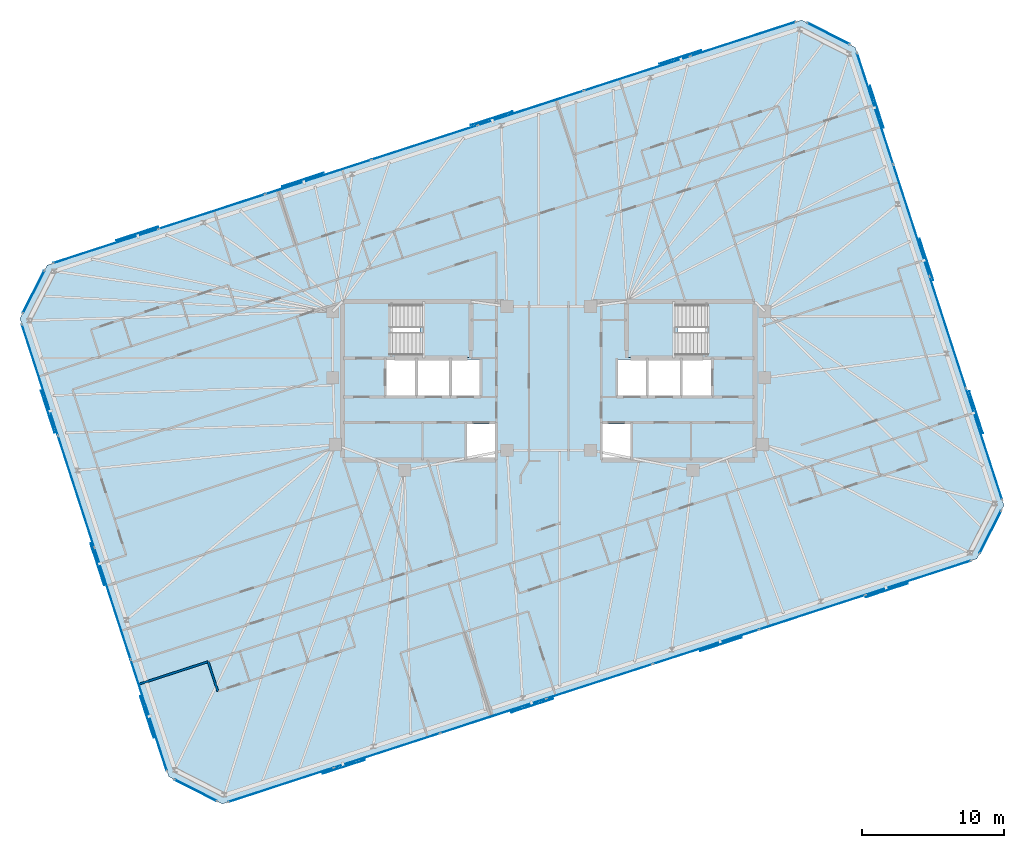
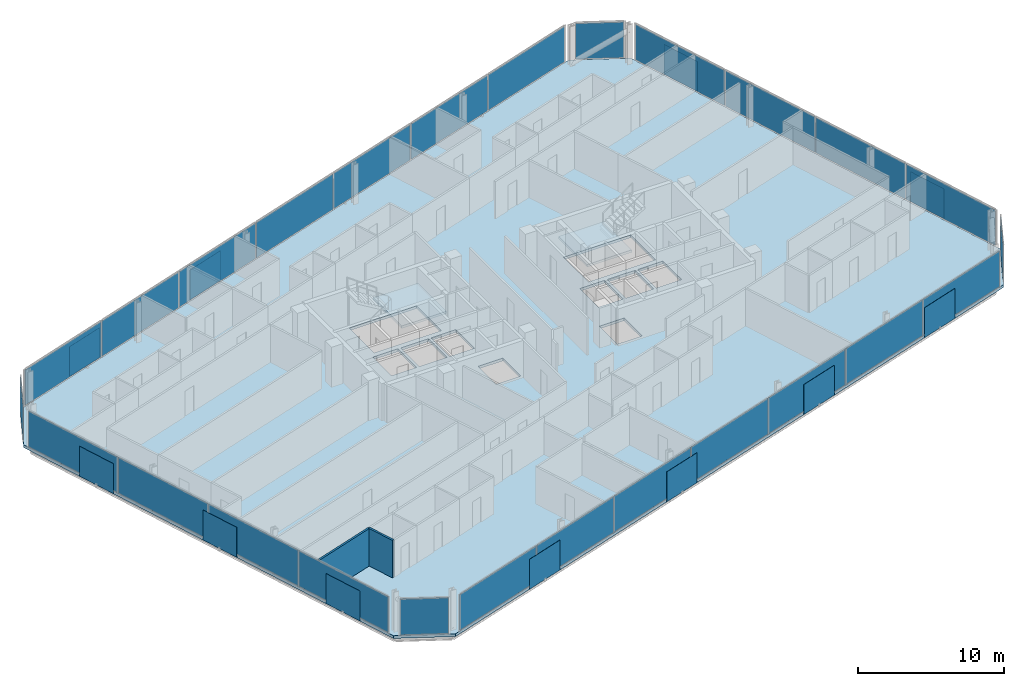
# One storey, part 12 of 20: 40 plates, 3 slabs, 2 walls, 10 elements without a shape of their own.
"""IFC4 building model written with IfcOpenShell, lengths in metres."""

from ifc_helpers import new_model, si_unit, direction, frame, frame_2d, origin, origin_2d, place, context, subcontext, project, spatial, polyline, rectangle, outline, extrude, material, layer, layer_set, type_object, element, aggregate, save


model = new_model("IFC4")

# Units and contexts
model_context = context("Model", 3, precision=1e-05, world=origin(), true_north=direction((0.0, 1.0)))
body_context = subcontext(model_context, "Body", "Model", "MODEL_VIEW")
ifc_project = project(units=[si_unit("LENGTHUNIT", "METRE"), si_unit("AREAUNIT", "SQUARE_METRE"), si_unit("VOLUMEUNIT", "CUBIC_METRE"), si_unit("PLANEANGLEUNIT", "RADIAN"), si_unit("MASSUNIT", "GRAM", prefix="KILO")], contexts=[model_context])

# Site, building, storey
site_placement = place(None, origin())
site = spatial("IfcSite", under=ifc_project, at=site_placement, CompositionType="ELEMENT")
building_placement = place(site_placement, origin())
building = spatial("IfcBuilding", under=site, at=building_placement, Name="Menara Jurai Vektor", CompositionType="ELEMENT")
storey_placement = place(building_placement, frame((0.0, 0.0, 217.60009765625)))
storey = spatial("IfcBuildingStorey", under=building, at=storey_placement, Name="L57", CompositionType="ELEMENT", Elevation=217.60009765625)

# Curtain wall, plates
ifc_material_1 = material(Name="Anodised Pale Aluminium & Low-E Double Glazing", Category="aluminium")
curtain_wall_type = type_object("IfcCurtainWallType", Name="CW-BLK4", PredefinedType="NOTDEFINED", material=ifc_material_1)
curtain_wall_1_placement = place(storey_placement, origin())
curtain_wall_1 = element("IfcCurtainWall", 1, at=curtain_wall_1_placement, inside=storey, type_object=curtain_wall_type, Name="Unitised Curtain Wall L57 F01", PredefinedType="NOTDEFINED")
ifc_material_2 = material(Name="Low-E Solar-Control Double Glazed Unit", Category="glass")
ifc_layer_1 = layer(ifc_material_2, 0.030029296875)
ifc_layer_set_1 = layer_set([ifc_layer_1], Name="Low-E Solar-Control Double Glazed Unit")
plate_type_1 = type_object("IfcPlateType", Name="CW-BLK4-PNL", PredefinedType="CURTAIN_PANEL", material=ifc_layer_set_1)
plate_1_placement = place(storey_placement, frame((-18.916259765625, -28.53076171875, 0.080078125), z_axis=(0.0, 0.0, 1.0), x_axis=(0.951056402641, 0.309017344167, 0.0)))
plate_1 = element("IfcPlate", 2, at=plate_1_placement, type_object=plate_type_1, Name="CW-04 panel 1.1", PredefinedType="CURTAIN_PANEL", context=body_context, shape_type="SweptSolid", body=[
    extrude(rectangle(XDim=7.771484375, YDim=0.030029296875, at=origin_2d()), origin(), (0.0, 0.0, 1.0), 2.965087890625),
])
plate_2_placement = place(storey_placement, frame((-11.429931640625, -26.098388671875, 0.080078125), z_axis=(0.0, 0.0, 1.0), x_axis=(0.951056402641, 0.309017344167, 0.0)))
plate_2 = element("IfcPlate", 3, at=plate_2_placement, type_object=plate_type_1, Name="CW-04 panel 2.1", PredefinedType="CURTAIN_PANEL", context=body_context, shape_type="SweptSolid", body=[
    extrude(rectangle(XDim=7.8115234375, YDim=0.030029296875, at=origin_2d()), origin(), (0.0, 0.0, 1.0), 2.965087890625),
])
plate_3_placement = place(storey_placement, frame((-3.9248046875, -23.65966796875, 0.080078125), z_axis=(0.0, 0.0, 1.0), x_axis=(0.951056402641, 0.309017344167, 0.0)))
plate_3 = element("IfcPlate", 4, at=plate_3_placement, type_object=plate_type_1, Name="CW-04 panel 3.1", PredefinedType="CURTAIN_PANEL", context=body_context, shape_type="SweptSolid", body=[
    extrude(rectangle(XDim=7.8115234375, YDim=0.030029296875, at=origin_2d()), origin(), (0.0, 0.0, 1.0), 2.965087890625),
])
plate_4_placement = place(storey_placement, frame((3.580322265625, -21.22119140625, 0.080078125), z_axis=(0.0, 0.0, 1.0), x_axis=(0.951056402641, 0.309017344167, 0.0)))
plate_4 = element("IfcPlate", 5, at=plate_4_placement, type_object=plate_type_1, Name="CW-04 panel 4.1", PredefinedType="CURTAIN_PANEL", context=body_context, shape_type="SweptSolid", body=[
    extrude(rectangle(XDim=7.8115234375, YDim=0.030029296875, at=origin_2d()), origin(), (0.0, 0.0, 1.0), 2.965087890625),
])
plate_5_placement = place(storey_placement, frame((11.08544921875, -18.782470703125, 0.080078125), z_axis=(0.0, 0.0, 1.0), x_axis=(0.951056402641, 0.309017344167, 0.0)))
plate_5 = element("IfcPlate", 6, at=plate_5_placement, type_object=plate_type_1, Name="CW-04 panel 5.1", PredefinedType="CURTAIN_PANEL", context=body_context, shape_type="SweptSolid", body=[
    extrude(rectangle(XDim=7.8115234375, YDim=0.030029296875, at=origin_2d()), origin(), (0.0, 0.0, 1.0), 2.965087890625),
])
plate_6_placement = place(storey_placement, frame((18.5908203125, -16.343994140625, 0.080078125), z_axis=(0.0, 0.0, 1.0), x_axis=(0.951056402641, 0.309017344167, 0.0)))
plate_6 = element("IfcPlate", 7, at=plate_6_placement, type_object=plate_type_1, Name="CW-04 panel 6.1", PredefinedType="CURTAIN_PANEL", context=body_context, shape_type="SweptSolid", body=[
    extrude(rectangle(XDim=7.8115234375, YDim=0.030029296875, at=origin_2d()), origin(), (0.0, 0.0, 1.0), 2.965087890625),
])
plate_7_placement = place(storey_placement, frame((26.076904296875, -13.91162109375, 0.080078125), z_axis=(0.0, 0.0, 1.0), x_axis=(0.951056402641, 0.309017344167, 0.0)))
plate_7 = element("IfcPlate", 8, at=plate_7_placement, type_object=plate_type_1, Name="CW-04 panel 7.1", PredefinedType="CURTAIN_PANEL", context=body_context, shape_type="SweptSolid", body=[
    extrude(rectangle(XDim=7.771484375, YDim=0.030029296875, at=origin_2d()), origin(), (0.0, 0.0, 1.0), 2.965087890625),
])
aggregate(curtain_wall_1, [plate_1, plate_2, plate_3, plate_4, plate_5, plate_6, plate_7])

curtain_wall_2_placement = place(storey_placement, origin())
curtain_wall_2 = element("IfcCurtainWall", 9, at=curtain_wall_2_placement, inside=storey, type_object=curtain_wall_type, Name="Unitised Curtain Wall L57 F03", PredefinedType="NOTDEFINED")
plate_8_placement = place(storey_placement, frame((30.728515625, -4.456298828125, 0.080078125), z_axis=(0.0, 0.0, 1.0), x_axis=(-0.309016481464, 0.95105668295, 0.0)))
plate_8 = element("IfcPlate", 10, at=plate_8_placement, type_object=plate_type_1, Name="CW-04 panel 1.1", PredefinedType="CURTAIN_PANEL", context=body_context, shape_type="SweptSolid", body=[
    extrude(rectangle(XDim=8.18994140625, YDim=0.030029296875, at=origin_2d()), origin(), (0.0, 0.0, 1.0), 2.965087890625),
])
plate_9_placement = place(storey_placement, frame((28.166748046875, 3.427978515625, 0.080078125), z_axis=(0.0, 0.0, 1.0), x_axis=(-0.309016481464, 0.95105668295, 0.0)))
plate_9 = element("IfcPlate", 11, at=plate_9_placement, type_object=plate_type_1, Name="CW-04 panel 2.1", PredefinedType="CURTAIN_PANEL", context=body_context, shape_type="SweptSolid", body=[
    extrude(rectangle(XDim=8.22998046875, YDim=0.030029296875, at=origin_2d()), origin(), (0.0, 0.0, 1.0), 2.965087890625),
])
plate_10_placement = place(storey_placement, frame((25.598876953125, 11.331298828125, 0.080078125), z_axis=(0.0, 0.0, 1.0), x_axis=(-0.309016481464, 0.95105668295, 0.0)))
plate_10 = element("IfcPlate", 12, at=plate_10_placement, type_object=plate_type_1, Name="CW-04 panel 3.1", PredefinedType="CURTAIN_PANEL", context=body_context, shape_type="SweptSolid", body=[
    extrude(rectangle(XDim=8.22998046875, YDim=0.030029296875, at=origin_2d()), origin(), (0.0, 0.0, 1.0), 2.965087890625),
])
plate_11_placement = place(storey_placement, frame((23.037109375, 19.21533203125, 0.080078125), z_axis=(0.0, 0.0, 1.0), x_axis=(-0.309016481464, 0.95105668295, 0.0)))
plate_11 = element("IfcPlate", 13, at=plate_11_placement, type_object=plate_type_1, Name="CW-04 panel 4.1", PredefinedType="CURTAIN_PANEL", context=body_context, shape_type="SweptSolid", body=[
    extrude(rectangle(XDim=8.18994140625, YDim=0.030029296875, at=origin_2d()), origin(), (0.0, 0.0, 1.0), 2.965087890625),
])
aggregate(curtain_wall_2, [plate_8, plate_9, plate_10, plate_11])

curtain_wall_3_placement = place(storey_placement, origin())
curtain_wall_3 = element("IfcCurtainWall", 14, at=curtain_wall_3_placement, inside=storey, type_object=curtain_wall_type, Name="Unitised Curtain Wall L57 F05", PredefinedType="NOTDEFINED")
plate_12_placement = place(storey_placement, frame((13.716064453125, 24.130615234375, 0.080078125), z_axis=(0.0, 0.0, 1.0), x_axis=(-0.951056402641, -0.309017344167, 0.0)))
plate_12 = element("IfcPlate", 15, at=plate_12_placement, type_object=plate_type_1, Name="CW-04 panel 1.1", PredefinedType="CURTAIN_PANEL", context=body_context, shape_type="SweptSolid", body=[
    extrude(rectangle(XDim=7.771484375, YDim=0.030029296875, at=origin_2d()), origin(), (0.0, 0.0, 1.0), 2.965087890625),
])
plate_13_placement = place(storey_placement, frame((6.22998046875, 21.6982421875, 0.080078125), z_axis=(0.0, 0.0, 1.0), x_axis=(-0.951056402641, -0.309017344167, 0.0)))
plate_13 = element("IfcPlate", 16, at=plate_13_placement, type_object=plate_type_1, Name="CW-04 panel 2.1", PredefinedType="CURTAIN_PANEL", context=body_context, shape_type="SweptSolid", body=[
    extrude(rectangle(XDim=7.8115234375, YDim=0.030029296875, at=origin_2d()), origin(), (0.0, 0.0, 1.0), 2.965087890625),
])
plate_14_placement = place(storey_placement, frame((-1.275146484375, 19.259765625, 0.080078125), z_axis=(0.0, 0.0, 1.0), x_axis=(-0.951056402641, -0.309017344167, 0.0)))
plate_14 = element("IfcPlate", 17, at=plate_14_placement, type_object=plate_type_1, Name="CW-04 panel 3.1", PredefinedType="CURTAIN_PANEL", context=body_context, shape_type="SweptSolid", body=[
    extrude(rectangle(XDim=7.8115234375, YDim=0.030029296875, at=origin_2d()), origin(), (0.0, 0.0, 1.0), 2.965087890625),
])
plate_15_placement = place(storey_placement, frame((-8.7802734375, 16.821044921875, 0.080078125), z_axis=(0.0, 0.0, 1.0), x_axis=(-0.951056402641, -0.309017344167, 0.0)))
plate_15 = element("IfcPlate", 18, at=plate_15_placement, type_object=plate_type_1, Name="CW-04 panel 4.1", PredefinedType="CURTAIN_PANEL", context=body_context, shape_type="SweptSolid", body=[
    extrude(rectangle(XDim=7.8115234375, YDim=0.030029296875, at=origin_2d()), origin(), (0.0, 0.0, 1.0), 2.965087890625),
])
plate_16_placement = place(storey_placement, frame((-16.28564453125, 14.382568359375, 0.080078125), z_axis=(0.0, 0.0, 1.0), x_axis=(-0.951056402641, -0.309017344167, 0.0)))
plate_16 = element("IfcPlate", 19, at=plate_16_placement, type_object=plate_type_1, Name="CW-04 panel 5.1", PredefinedType="CURTAIN_PANEL", context=body_context, shape_type="SweptSolid", body=[
    extrude(rectangle(XDim=7.8115234375, YDim=0.030029296875, at=origin_2d()), origin(), (0.0, 0.0, 1.0), 2.965087890625),
])
plate_17_placement = place(storey_placement, frame((-23.790771484375, 11.944091796875, 0.080078125), z_axis=(0.0, 0.0, 1.0), x_axis=(-0.951056402641, -0.309017344167, 0.0)))
plate_17 = element("IfcPlate", 20, at=plate_17_placement, type_object=plate_type_1, Name="CW-04 panel 6.1", PredefinedType="CURTAIN_PANEL", context=body_context, shape_type="SweptSolid", body=[
    extrude(rectangle(XDim=7.8115234375, YDim=0.030029296875, at=origin_2d()), origin(), (0.0, 0.0, 1.0), 2.965087890625),
])
plate_18_placement = place(storey_placement, frame((-31.27685546875, 9.511474609375, 0.080078125), z_axis=(0.0, 0.0, 1.0), x_axis=(-0.951056402641, -0.309017344167, 0.0)))
plate_18 = element("IfcPlate", 21, at=plate_18_placement, type_object=plate_type_1, Name="CW-04 panel 7.1", PredefinedType="CURTAIN_PANEL", context=body_context, shape_type="SweptSolid", body=[
    extrude(rectangle(XDim=7.771484375, YDim=0.030029296875, at=origin_2d()), origin(), (0.0, 0.0, 1.0), 2.965087890625),
])
aggregate(curtain_wall_3, [plate_12, plate_13, plate_14, plate_15, plate_16, plate_17, plate_18])

curtain_wall_4_placement = place(storey_placement, origin())
curtain_wall_4 = element("IfcCurtainWall", 22, at=curtain_wall_4_placement, inside=storey, type_object=curtain_wall_type, Name="Unitised Curtain Wall L57 F07", PredefinedType="NOTDEFINED")
plate_19_placement = place(storey_placement, frame((-35.928466796875, 0.056396484375, 0.080078125), z_axis=(0.0, 0.0, 1.0), x_axis=(0.309016481464, -0.95105668295, 0.0)))
plate_19 = element("IfcPlate", 23, at=plate_19_placement, type_object=plate_type_1, Name="CW-04 panel 1.1", PredefinedType="CURTAIN_PANEL", context=body_context, shape_type="SweptSolid", body=[
    extrude(rectangle(XDim=8.18994140625, YDim=0.030029296875, at=origin_2d()), origin(), (0.0, 0.0, 1.0), 2.965087890625),
])
plate_20_placement = place(storey_placement, frame((-33.36669921875, -7.827880859375, 0.080078125), z_axis=(0.0, 0.0, 1.0), x_axis=(0.309016481464, -0.95105668295, 0.0)))
plate_20 = element("IfcPlate", 24, at=plate_20_placement, type_object=plate_type_1, Name="CW-04 panel 2.1", PredefinedType="CURTAIN_PANEL", context=body_context, shape_type="SweptSolid", body=[
    extrude(rectangle(XDim=8.22998046875, YDim=0.030029296875, at=origin_2d()), origin(), (0.0, 0.0, 1.0), 2.965087890625),
])
plate_21_placement = place(storey_placement, frame((-30.798828125, -15.731201171875, 0.080078125), z_axis=(0.0, 0.0, 1.0), x_axis=(0.309016481464, -0.95105668295, 0.0)))
plate_21 = element("IfcPlate", 25, at=plate_21_placement, type_object=plate_type_1, Name="CW-04 panel 3.1", PredefinedType="CURTAIN_PANEL", context=body_context, shape_type="SweptSolid", body=[
    extrude(rectangle(XDim=8.22998046875, YDim=0.030029296875, at=origin_2d()), origin(), (0.0, 0.0, 1.0), 2.965087890625),
])
plate_22_placement = place(storey_placement, frame((-28.237060546875, -23.615478515625, 0.080078125), z_axis=(0.0, 0.0, 1.0), x_axis=(0.309016481464, -0.95105668295, 0.0)))
plate_22 = element("IfcPlate", 26, at=plate_22_placement, type_object=plate_type_1, Name="CW-04 panel 4.1", PredefinedType="CURTAIN_PANEL", context=body_context, shape_type="SweptSolid", body=[
    extrude(rectangle(XDim=8.18994140625, YDim=0.030029296875, at=origin_2d()), origin(), (0.0, 0.0, 1.0), 2.965087890625),
])
aggregate(curtain_wall_4, [plate_19, plate_20, plate_21, plate_22])

# Curtain wall, plate
curtain_wall_5_placement = place(storey_placement, origin())
curtain_wall_5 = element("IfcCurtainWall", 27, at=curtain_wall_5_placement, inside=storey, type_object=curtain_wall_type, Name="Unitised Curtain Wall L57 F02", PredefinedType="NOTDEFINED")
ifc_material_3 = material(Name="Insulated Pale Aluminium Spandrel Panel", Category="aluminium")
ifc_layer_2 = layer(ifc_material_3, 0.06005859375)
ifc_layer_set_2 = layer_set([ifc_layer_2], Name="Insulated Pale Aluminium Spandrel Panel")
plate_type_2 = type_object("IfcPlateType", Name="CW-PNL-SP", PredefinedType="CURTAIN_PANEL", material=ifc_layer_set_2)
plate_23_placement = place(storey_placement, frame((31.1728515625, -10.678466796875, 0.080078125), z_axis=(0.0, 0.0, 1.0), x_axis=(0.453988579828, 0.89100750243, 0.0)))
plate_23 = element("IfcPlate", 28, at=plate_23_placement, type_object=plate_type_2, Name="CW-04 panel 1.1", PredefinedType="CURTAIN_PANEL", context=body_context, shape_type="SweptSolid", body=[
    extrude(rectangle(XDim=3.32275390625, YDim=0.06005859375, at=origin_2d()), origin(), (0.0, 0.0, 1.0), 2.965087890625),
])
aggregate(curtain_wall_5, [plate_23])

curtain_wall_6_placement = place(storey_placement, origin())
curtain_wall_6 = element("IfcCurtainWall", 29, at=curtain_wall_6_placement, inside=storey, type_object=curtain_wall_type, Name="Unitised Curtain Wall L57 F04", PredefinedType="NOTDEFINED")
plate_24_placement = place(storey_placement, frame((19.7392578125, 24.510498046875, 0.080078125), z_axis=(0.0, 0.0, 1.0), x_axis=(-0.89100750243, 0.453988579828, 0.0)))
plate_24 = element("IfcPlate", 30, at=plate_24_placement, type_object=plate_type_2, Name="CW-04 panel 1.1", PredefinedType="CURTAIN_PANEL", context=body_context, shape_type="SweptSolid", body=[
    extrude(rectangle(XDim=3.32275390625, YDim=0.06005859375, at=origin_2d()), origin(), (0.0, 0.0, 1.0), 2.965087890625),
])
aggregate(curtain_wall_6, [plate_24])

curtain_wall_7_placement = place(storey_placement, origin())
curtain_wall_7 = element("IfcCurtainWall", 31, at=curtain_wall_7_placement, inside=storey, type_object=curtain_wall_type, Name="Unitised Curtain Wall L57 F06", PredefinedType="NOTDEFINED")
plate_25_placement = place(storey_placement, frame((-36.373046875, 6.278564453125, 0.080078125), z_axis=(0.0, 0.0, 1.0), x_axis=(-0.453988579828, -0.89100750243, 0.0)))
plate_25 = element("IfcPlate", 32, at=plate_25_placement, type_object=plate_type_2, Name="CW-04 panel 1.1", PredefinedType="CURTAIN_PANEL", context=body_context, shape_type="SweptSolid", body=[
    extrude(rectangle(XDim=3.32275390625, YDim=0.06005859375, at=origin_2d()), origin(), (0.0, 0.0, 1.0), 2.965087890625),
])
aggregate(curtain_wall_7, [plate_25])

curtain_wall_8_placement = place(storey_placement, origin())
curtain_wall_8 = element("IfcCurtainWall", 33, at=curtain_wall_8_placement, inside=storey, type_object=curtain_wall_type, Name="Unitised Curtain Wall L57 F08", PredefinedType="NOTDEFINED")
plate_26_placement = place(storey_placement, frame((-24.939453125, -28.91064453125, 0.080078125), z_axis=(0.0, 0.0, 1.0), x_axis=(0.89100750243, -0.453988579828, 0.0)))
plate_26 = element("IfcPlate", 34, at=plate_26_placement, type_object=plate_type_2, Name="CW-04 panel 1.1", PredefinedType="CURTAIN_PANEL", context=body_context, shape_type="SweptSolid", body=[
    extrude(rectangle(XDim=3.32275390625, YDim=0.06005859375, at=origin_2d()), origin(), (0.0, 0.0, 1.0), 2.965087890625),
])
aggregate(curtain_wall_8, [plate_26])

# Plates
ifc_material_4 = material(Name="Anodised Pale Aluminium Perforated Screen", Category="aluminium")
ifc_layer_3 = layer(ifc_material_4, 0.02197265625)
ifc_layer_set_3 = layer_set([ifc_layer_3], Name="Anodised Pale Aluminium Perforated Screen")
plate_type_3 = type_object("IfcPlateType", Name="ENV-PLT-SCREEN-HI", PredefinedType="USERDEFINED", material=ifc_layer_set_3)
for number, where, z_axis, x_axis, name in (
    (35, (-14.478271484375, -27.257080078125, -0.050048828125), (0.0, 0.0, 1.0), (0.951056516295, 0.309016994375, 0.0), "Perforated Pale-Metal Solar Screen L57-S01"),
    (36, (-1.16357421875, -22.930908203125, -0.050048828125), (0.0, 0.0, 1.0), (0.951056516295, 0.309016994375, 0.0), "Perforated Pale-Metal Solar Screen L57-S02"),
    (37, (12.151123046875, -18.6044921875, -0.050048828125), (0.0, 0.0, 1.0), (0.951056516295, 0.309016994375, 0.0), "Perforated Pale-Metal Solar Screen L57-S03"),
    (38, (23.868408203125, -14.797607421875, -0.050048828125), (0.0, 0.0, 1.0), (0.951056516295, 0.309016994375, 0.0), "Perforated Pale-Metal Solar Screen L57-S04"),
    (39, (30.16943359375, -2.218017578125, -0.050048828125), (0.0, 0.0, 1.0), (-0.309016994375, 0.951056516295, 0.0), "Perforated Pale-Metal Solar Screen L57-S05"),
    (40, (26.667236328125, 8.560791015625, -0.050048828125), (0.0, 0.0, 1.0), (-0.309016994375, 0.951056516295, 0.0), "Perforated Pale-Metal Solar Screen L57-S06"),
    (41, (23.1650390625, 19.33935546875, -0.050048828125), (0.0, 0.0, 1.0), (-0.309016994375, 0.951056516295, 0.0), "Perforated Pale-Metal Solar Screen L57-S07"),
    (42, (9.2783203125, 22.85693359375, -0.050048828125), (0.0, 0.0, 1.0), (-0.951056516295, -0.309016994375, 0.0), "Perforated Pale-Metal Solar Screen L57-S08"),
    (43, (-4.03662109375, 18.53076171875, -0.050048828125), (0.0, 0.0, 1.0), (-0.951056516295, -0.309016994375, 0.0), "Perforated Pale-Metal Solar Screen L57-S09"),
    (44, (-17.351318359375, 14.20458984375, -0.050048828125), (0.0, 0.0, 1.0), (-0.951056516295, -0.309016994375, 0.0), "Perforated Pale-Metal Solar Screen L57-S10"),
    (45, (-29.068359375, 10.3974609375, -0.050048828125), (0.0, 0.0, 1.0), (-0.951056516295, -0.309016994375, 0.0), "Perforated Pale-Metal Solar Screen L57-S11"),
    (46, (-35.369384765625, -2.18212890625, -0.050048828125), (0.0, 0.0, 1.0), (0.309016994375, -0.951056516295, 0.0), "Perforated Pale-Metal Solar Screen L57-S12"),
    (47, (-31.8671875, -12.960693359375, -0.050048828125), (0.0, 0.0, 1.0), (0.309016994375, -0.951056516295, 0.0), "Perforated Pale-Metal Solar Screen L57-S13"),
    (48, (-28.364990234375, -23.739501953125, -0.050048828125), (0.0, 0.0, 1.0), (0.309016994375, -0.951056516295, 0.0), "Perforated Pale-Metal Solar Screen L57-S14"),
):
    element("IfcPlate", number, at=place(storey_placement, frame(where, z_axis=z_axis, x_axis=x_axis)), inside=storey, type_object=plate_type_3, Name=name, ObjectType="SCREEN", PredefinedType="USERDEFINED", context=body_context, shape_type="SweptSolid", body=[
        extrude(rectangle(XDim=3.10009765625, YDim=0.02197265625, at=origin_2d()), origin(), (0.0, 0.0, 1.0), 2.5),
    ])

# Stair, slab
ifc_material_5 = material(Name="Concrete C40/50", Category="concrete")
stair_type = type_object("IfcStairType", Name="STAIR-DOGLEG-1500", PredefinedType="HALF_TURN_STAIR", material=ifc_material_5)
stair_1_placement = place(storey_placement, origin())
stair_1 = element("IfcStair", 49, at=stair_1_placement, inside=storey, type_object=stair_type, Name="Protected Exit Stair ST1 L57", PredefinedType="HALF_TURN_STAIR")
ifc_layer_4 = layer(ifc_material_5, 0.199951171875)
ifc_layer_set_4 = layer_set([ifc_layer_4], Name="Concrete C40/50")
slab_type_1 = type_object("IfcSlabType", Name="STAIR-LANDING-200", PredefinedType="LANDING", material=ifc_layer_set_4)
slab_1_placement = place(storey_placement, frame((0.0, 0.0, 1.474853515625)))
slab_1 = element("IfcSlab", 50, at=slab_1_placement, type_object=slab_type_1, Name="ST1 landing 1", PredefinedType="LANDING", context=body_context, shape_type="SweptSolid", body=[
    extrude(outline(polyline([(-9.080078125, 1.64990234375), (-5.550048828125, 1.64990234375), (-5.550048828125, 5.550048828125), (-9.080078125, 5.550048828125), (-9.080078125, 1.64990234375)])), origin(), (0.0, 0.0, 1.0), 0.199951171875),
])
aggregate(stair_1, [slab_1])

stair_2_placement = place(storey_placement, origin())
stair_2 = element("IfcStair", 51, at=stair_2_placement, inside=storey, type_object=stair_type, Name="Protected Exit Stair ST2 L57", PredefinedType="HALF_TURN_STAIR")
slab_2_placement = place(storey_placement, frame((0.0, 0.0, 1.474853515625)))
slab_2 = element("IfcSlab", 52, at=slab_2_placement, type_object=slab_type_1, Name="ST2 landing 1", PredefinedType="LANDING", context=body_context, shape_type="SweptSolid", body=[
    extrude(outline(polyline([(5.550048828125, 1.64990234375), (9.080078125, 1.64990234375), (9.080078125, 5.550048828125), (5.550048828125, 5.550048828125), (5.550048828125, 1.64990234375)])), origin(), (0.0, 0.0, 1.0), 0.199951171875),
])
aggregate(stair_2, [slab_2])

# Slab
ifc_layer_5 = layer(ifc_material_5, 0.22509765625)
ifc_layer_set_5 = layer_set([ifc_layer_5], Name="Concrete C40/50")
slab_type_2 = type_object("IfcSlabType", Name="STR-SLAB-TYP200", PredefinedType="FLOOR", material=ifc_layer_set_5)
slab_3_placement = place(storey_placement, frame((0.0, 0.0, -0.22509765625)))
element("IfcSlab", 53, at=slab_3_placement, inside=storey, type_object=slab_type_2, Name="Composite Floor Slab L57", PredefinedType="FLOOR", context=body_context, shape_type="SweptSolid", body=[
    extrude(outline(polyline([(-23.04931640625, -29.87353515625), (30.2099609375, -12.568603515625), (32.135986328125, -8.788330078125), (21.62939453125, 23.547607421875), (17.84912109375, 25.4736328125), (-35.409912109375, 8.168701171875), (-37.3359375, 4.388427734375), (-26.82958984375, -27.947509765625), (-23.04931640625, -29.87353515625)]), holes=[polyline([(-11.10009765625, 1.89990234375), (-11.10009765625, 5.300048828125), (-5.800048828125, 5.300048828125), (-5.800048828125, 1.89990234375), (-11.10009765625, 1.89990234375)]), polyline([(5.800048828125, 1.89990234375), (5.800048828125, 5.300048828125), (11.10009765625, 5.300048828125), (11.10009765625, 1.89990234375), (5.800048828125, 1.89990234375)]), polyline([(-11.449951171875, -1.050048828125), (-11.449951171875, 1.5), (-9.449951171875, 1.5), (-9.449951171875, -1.050048828125), (-11.449951171875, -1.050048828125)]), polyline([(9.449951171875, -1.050048828125), (9.449951171875, 1.5), (11.449951171875, 1.5), (11.449951171875, -1.050048828125), (9.449951171875, -1.050048828125)]), polyline([(-5.760009765625, -5.5), (-5.760009765625, -3.050048828125), (-3.800048828125, -3.050048828125), (-3.800048828125, -5.5), (-5.760009765625, -5.5)]), polyline([(-6.85009765625, -1.050048828125), (-6.85009765625, 1.5), (-4.889892578125, 1.5), (-4.889892578125, -1.050048828125), (-6.85009765625, -1.050048828125)]), polyline([(3.800048828125, -5.5), (3.800048828125, -3.050048828125), (5.760009765625, -3.050048828125), (5.760009765625, -5.5), (3.800048828125, -5.5)]), polyline([(4.889892578125, -1.050048828125), (4.889892578125, 1.5), (6.85009765625, 1.5), (6.85009765625, -1.050048828125), (4.889892578125, -1.050048828125)]), polyline([(-9.25, -1.050048828125), (-9.25, 1.5), (-7.050048828125, 1.5), (-7.050048828125, -1.050048828125), (-9.25, -1.050048828125)]), polyline([(7.050048828125, -1.050048828125), (7.050048828125, 1.5), (9.25, 1.5), (9.25, -1.050048828125), (7.050048828125, -1.050048828125)])]), origin(), (0.0, 0.0, 1.0), 0.22509765625),
])

# Walls
ifc_material_6 = material(Name="Gypsum Fireboard Partition", Category="gypsum")
ifc_layer_6 = layer(ifc_material_6, 0.14990234375)
ifc_layer_set_6 = layer_set([ifc_layer_6], Name="Gypsum Fireboard Partition")
wall_type = type_object("IfcWallType", Name="INT-WALL-CORR-150", PredefinedType="PARTITIONING", material=ifc_layer_set_6)
wall_1_placement = place(storey_placement, frame((-28.949951171875, -21.42138671875, 0.0), z_axis=(0.0, 0.0, 1.0), x_axis=(0.951058442388, 0.309011066408, 0.0)))
element("IfcWall", 54, at=wall_1_placement, inside=storey, type_object=wall_type, Name="Interior Wall IW-150 L57", PredefinedType="PARTITIONING", context=body_context, shape_type="SweptSolid", body=[
    extrude(rectangle(XDim=5.152099609375, YDim=0.14990234375, at=frame_2d((2.576171875, 0.0))), origin(), (0.0, 0.0, 1.0), 3.125),
])
wall_2_placement = place(storey_placement, frame((-23.370361328125, -21.921630859375, 0.0), z_axis=(0.0, 0.0, 1.0), x_axis=(-0.308960600764, 0.951074837842, 0.0)))
element("IfcWall", 55, at=wall_2_placement, inside=storey, type_object=wall_type, Name="Interior Wall IW-150 L57", PredefinedType="PARTITIONING", context=body_context, shape_type="SweptSolid", body=[
    extrude(rectangle(XDim=2.199951171875, YDim=0.14990234375, at=frame_2d((1.10009765625, 0.0))), origin(), (0.0, 0.0, 1.0), 3.125),
])

save(model, "model.ifc")
